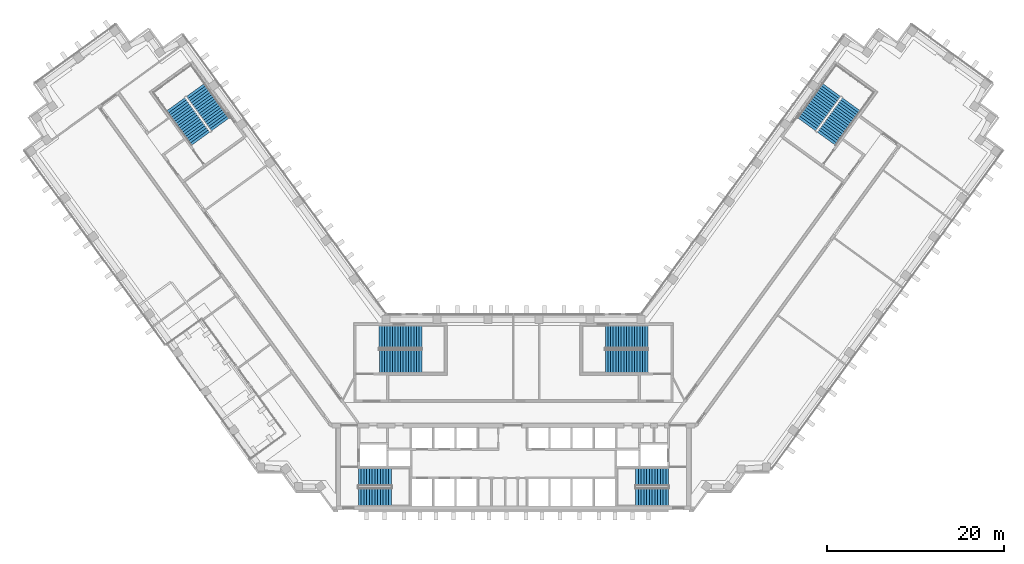
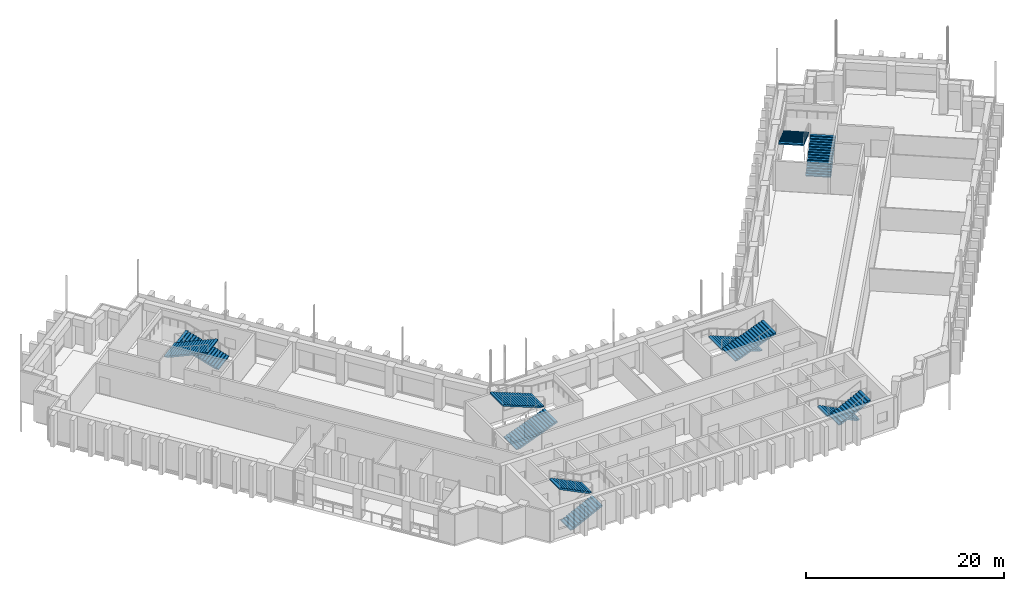
# One storey, part 15 of 18: 12 stair flights, 6 elements without a shape of their own.
"""IFC4 building model written with IfcOpenShell, lengths in metres."""

from ifc_helpers import new_model, si_unit, direction, frame, origin, place, context, subcontext, project, spatial, polyline, outline, extrude, material, type_object, element, aggregate, save


model = new_model("IFC4")

# Units and contexts
model_context = context("Model", 3, precision=1e-05, world=origin(), true_north=direction((0.0, 1.0)))
body_context = subcontext(model_context, "Body", "Model", "MODEL_VIEW")
ifc_project = project(units=[si_unit("LENGTHUNIT", "METRE"), si_unit("AREAUNIT", "SQUARE_METRE"), si_unit("VOLUMEUNIT", "CUBIC_METRE"), si_unit("PLANEANGLEUNIT", "RADIAN"), si_unit("MASSUNIT", "GRAM", prefix="KILO")], contexts=[model_context])

# Site, building, storey
site_placement = place(None, origin())
site = spatial("IfcSite", under=ifc_project, at=site_placement, CompositionType="ELEMENT")
building_placement = place(site_placement, origin())
building = spatial("IfcBuilding", under=site, at=building_placement, Name="Quipu Civic Tower", CompositionType="ELEMENT")
storey_placement = place(building_placement, frame((0.0, 0.0, 59.0)))
storey = spatial("IfcBuildingStorey", under=building, at=storey_placement, Name="L13", CompositionType="ELEMENT", Elevation=59.0)

# Stair, stair flights
ifc_material_1 = material(Name="Concrete C40/50", Category="concrete")
stair_type_1 = type_object("IfcStairType", Name="Half turn stair 2000", PredefinedType="HALF_TURN_STAIR", material=ifc_material_1)
stair_1_placement = place(storey_placement, origin())
stair_1 = element("IfcStair", 1, at=stair_1_placement, inside=storey, type_object=stair_type_1, Name="Exit stair 1", PredefinedType="HALF_TURN_STAIR")
ifc_material_2 = material(Name="Concrete C40/50", Category="concrete")
stair_flight_type_1 = type_object("IfcStairFlightType", Name="Stair flight 2000", PredefinedType="STRAIGHT", material=ifc_material_2)
stair_flight_1_placement = place(storey_placement, frame((-17.5, -9.5, 0.0), z_axis=(0.0, 0.0, 1.0), x_axis=(1.0, 0.0, 0.0)))
stair_flight_1 = element("IfcStairFlight", 2, at=stair_flight_1_placement, type_object=stair_flight_type_1, Name="ST-1 flight 1", NumberOfRisers=13, NumberOfTreads=12, PredefinedType="STRAIGHT", RiserHeight=0.153846154, TreadLength=0.31, context=body_context, shape_type="SweptSolid", body=[
    extrude(outline(polyline([(0.0, 0.0), (0.0, 0.15380859375), (0.31005859375, 0.15380859375), (0.31005859375, 0.3076171875), (0.6201171875, 0.3076171875), (0.6201171875, 0.46142578125), (0.929931640625, 0.46142578125), (0.929931640625, 0.615478515625), (1.239990234375, 0.615478515625), (1.239990234375, 0.769287109375), (1.550048828125, 0.769287109375), (1.550048828125, 0.923095703125), (1.860107421875, 0.923095703125), (1.860107421875, 1.076904296875), (2.169921875, 1.076904296875), (2.169921875, 1.230712890625), (2.47998046875, 1.230712890625), (2.47998046875, 1.384521484375), (2.7900390625, 1.384521484375), (2.7900390625, 1.53857421875), (3.10009765625, 1.53857421875), (3.10009765625, 1.6923828125), (3.409912109375, 1.6923828125), (3.409912109375, 1.84619140625), (3.719970703125, 1.84619140625), (3.719970703125, 2.0), (3.719970703125, 1.6787109375), (0.337158203125, 0.0), (0.0, 0.0)])), frame((0.0, 1.0, 0.0), z_axis=(0.0, -1.0, 0.0), x_axis=(1.0, 0.0, 0.0)), (0.0, 0.0, 1.0), 2.0),
])
stair_flight_2_placement = place(storey_placement, frame((-13.780029296875, -7.25, 2.0), z_axis=(0.0, 0.0, 1.0), x_axis=(-1.0, 0.0, 0.0)))
stair_flight_2 = element("IfcStairFlight", 3, at=stair_flight_2_placement, type_object=stair_flight_type_1, Name="ST-1 flight 2", NumberOfRisers=13, NumberOfTreads=12, PredefinedType="STRAIGHT", RiserHeight=0.153846154, TreadLength=0.31, context=body_context, shape_type="SweptSolid", body=[
    extrude(outline(polyline([(0.0, 0.0), (0.0, 0.15380859375), (0.31005859375, 0.15380859375), (0.31005859375, 0.3076171875), (0.6201171875, 0.3076171875), (0.6201171875, 0.46142578125), (0.929931640625, 0.46142578125), (0.929931640625, 0.615478515625), (1.239990234375, 0.615478515625), (1.239990234375, 0.769287109375), (1.550048828125, 0.769287109375), (1.550048828125, 0.923095703125), (1.860107421875, 0.923095703125), (1.860107421875, 1.076904296875), (2.169921875, 1.076904296875), (2.169921875, 1.230712890625), (2.47998046875, 1.230712890625), (2.47998046875, 1.384521484375), (2.7900390625, 1.384521484375), (2.7900390625, 1.53857421875), (3.10009765625, 1.53857421875), (3.10009765625, 1.6923828125), (3.409912109375, 1.6923828125), (3.409912109375, 1.84619140625), (3.719970703125, 1.84619140625), (3.719970703125, 2.0), (3.719970703125, 1.6787109375), (0.337158203125, 0.0), (0.0, 0.0)])), frame((0.0, 1.0, 0.0), z_axis=(0.0, -1.0, 0.0), x_axis=(1.0, 0.0, 0.0)), (0.0, 0.0, 1.0), 2.0),
])
aggregate(stair_1, [stair_flight_1, stair_flight_2])

stair_2_placement = place(storey_placement, origin())
stair_2 = element("IfcStair", 4, at=stair_2_placement, inside=storey, type_object=stair_type_1, Name="Exit stair 2", PredefinedType="HALF_TURN_STAIR")
stair_flight_3_placement = place(storey_placement, frame((17.5, -7.25, 0.0), z_axis=(0.0, 0.0, 1.0), x_axis=(-1.0, 0.0, 0.0)))
stair_flight_3 = element("IfcStairFlight", 5, at=stair_flight_3_placement, type_object=stair_flight_type_1, Name="ST-2 flight 1", NumberOfRisers=13, NumberOfTreads=12, PredefinedType="STRAIGHT", RiserHeight=0.153846154, TreadLength=0.31, context=body_context, shape_type="SweptSolid", body=[
    extrude(outline(polyline([(0.0, 0.0), (0.0, 0.15380859375), (0.31005859375, 0.15380859375), (0.31005859375, 0.3076171875), (0.6201171875, 0.3076171875), (0.6201171875, 0.46142578125), (0.929931640625, 0.46142578125), (0.929931640625, 0.615478515625), (1.239990234375, 0.615478515625), (1.239990234375, 0.769287109375), (1.550048828125, 0.769287109375), (1.550048828125, 0.923095703125), (1.860107421875, 0.923095703125), (1.860107421875, 1.076904296875), (2.169921875, 1.076904296875), (2.169921875, 1.230712890625), (2.47998046875, 1.230712890625), (2.47998046875, 1.384521484375), (2.7900390625, 1.384521484375), (2.7900390625, 1.53857421875), (3.10009765625, 1.53857421875), (3.10009765625, 1.6923828125), (3.409912109375, 1.6923828125), (3.409912109375, 1.84619140625), (3.719970703125, 1.84619140625), (3.719970703125, 2.0), (3.719970703125, 1.6787109375), (0.337158203125, 0.0), (0.0, 0.0)])), frame((0.0, 1.0, 0.0), z_axis=(0.0, -1.0, 0.0), x_axis=(1.0, 0.0, 0.0)), (0.0, 0.0, 1.0), 2.0),
])
stair_flight_4_placement = place(storey_placement, frame((13.780029296875, -9.5, 2.0), z_axis=(0.0, 0.0, 1.0), x_axis=(1.0, 0.0, 0.0)))
stair_flight_4 = element("IfcStairFlight", 6, at=stair_flight_4_placement, type_object=stair_flight_type_1, Name="ST-2 flight 2", NumberOfRisers=13, NumberOfTreads=12, PredefinedType="STRAIGHT", RiserHeight=0.153846154, TreadLength=0.31, context=body_context, shape_type="SweptSolid", body=[
    extrude(outline(polyline([(0.0, 0.0), (0.0, 0.15380859375), (0.31005859375, 0.15380859375), (0.31005859375, 0.3076171875), (0.6201171875, 0.3076171875), (0.6201171875, 0.46142578125), (0.929931640625, 0.46142578125), (0.929931640625, 0.615478515625), (1.239990234375, 0.615478515625), (1.239990234375, 0.769287109375), (1.550048828125, 0.769287109375), (1.550048828125, 0.923095703125), (1.860107421875, 0.923095703125), (1.860107421875, 1.076904296875), (2.169921875, 1.076904296875), (2.169921875, 1.230712890625), (2.47998046875, 1.230712890625), (2.47998046875, 1.384521484375), (2.7900390625, 1.384521484375), (2.7900390625, 1.53857421875), (3.10009765625, 1.53857421875), (3.10009765625, 1.6923828125), (3.409912109375, 1.6923828125), (3.409912109375, 1.84619140625), (3.719970703125, 1.84619140625), (3.719970703125, 2.0), (3.719970703125, 1.6787109375), (0.337158203125, 0.0), (0.0, 0.0)])), frame((0.0, 1.0, 0.0), z_axis=(0.0, -1.0, 0.0), x_axis=(1.0, 0.0, 0.0)), (0.0, 0.0, 1.0), 2.0),
])
aggregate(stair_2, [stair_flight_3, stair_flight_4])

ifc_material_3 = material(Name="Concrete C40/50", Category="concrete")
stair_type_2 = type_object("IfcStairType", Name="Half turn stair 2600", PredefinedType="HALF_TURN_STAIR", material=ifc_material_3)
stair_3_placement = place(storey_placement, origin())
stair_3 = element("IfcStair", 7, at=stair_3_placement, inside=storey, type_object=stair_type_2, Name="Exit stair 3", PredefinedType="HALF_TURN_STAIR")
ifc_material_4 = material(Name="Concrete C40/50", Category="concrete")
stair_flight_type_2 = type_object("IfcStairFlightType", Name="Stair flight 2600", PredefinedType="STRAIGHT", material=ifc_material_4)
stair_flight_5_placement = place(storey_placement, frame((-15.14990234375, 5.800048828125, 0.0), z_axis=(0.0, 0.0, 1.0), x_axis=(1.0, 0.0, 0.0)))
stair_flight_5 = element("IfcStairFlight", 8, at=stair_flight_5_placement, type_object=stair_flight_type_2, Name="ST-3 flight 1", NumberOfRisers=17, NumberOfTreads=16, PredefinedType="STRAIGHT", RiserHeight=0.117647059, TreadLength=0.3, context=body_context, shape_type="SweptSolid", body=[
    extrude(outline(polyline([(0.0, 0.0), (0.0, 0.11767578125), (0.300048828125, 0.11767578125), (0.300048828125, 0.2353515625), (0.60009765625, 0.2353515625), (0.60009765625, 0.35302734375), (0.89990234375, 0.35302734375), (0.89990234375, 0.470703125), (1.199951171875, 0.470703125), (1.199951171875, 0.588134765625), (1.5, 0.588134765625), (1.5, 0.705810546875), (1.800048828125, 0.705810546875), (1.800048828125, 0.823486328125), (2.10009765625, 0.823486328125), (2.10009765625, 0.941162109375), (2.39990234375, 0.941162109375), (2.39990234375, 1.058837890625), (2.699951171875, 1.058837890625), (2.699951171875, 1.176513671875), (3.0, 1.176513671875), (3.0, 1.294189453125), (3.300048828125, 1.294189453125), (3.300048828125, 1.411865234375), (3.60009765625, 1.411865234375), (3.60009765625, 1.529296875), (3.89990234375, 1.529296875), (3.89990234375, 1.64697265625), (4.199951171875, 1.64697265625), (4.199951171875, 1.7646484375), (4.5, 1.7646484375), (4.5, 1.88232421875), (4.800048828125, 1.88232421875), (4.800048828125, 2.0), (4.800048828125, 1.721435546875), (0.41064453125, 0.0), (0.0, 0.0)])), frame((0.0, 1.300048828125, 0.0), z_axis=(0.0, -1.0, 0.0), x_axis=(1.0, 0.0, 0.0)), (0.0, 0.0, 1.0), 2.60009765625),
])
stair_flight_6_placement = place(storey_placement, frame((-10.35009765625, 8.550048828125, 2.0), z_axis=(0.0, 0.0, 1.0), x_axis=(-1.0, 0.0, 0.0)))
stair_flight_6 = element("IfcStairFlight", 9, at=stair_flight_6_placement, type_object=stair_flight_type_2, Name="ST-3 flight 2", NumberOfRisers=17, NumberOfTreads=16, PredefinedType="STRAIGHT", RiserHeight=0.117647059, TreadLength=0.3, context=body_context, shape_type="SweptSolid", body=[
    extrude(outline(polyline([(0.0, 0.0), (0.0, 0.11767578125), (0.300048828125, 0.11767578125), (0.300048828125, 0.2353515625), (0.60009765625, 0.2353515625), (0.60009765625, 0.35302734375), (0.89990234375, 0.35302734375), (0.89990234375, 0.470703125), (1.199951171875, 0.470703125), (1.199951171875, 0.588134765625), (1.5, 0.588134765625), (1.5, 0.705810546875), (1.800048828125, 0.705810546875), (1.800048828125, 0.823486328125), (2.10009765625, 0.823486328125), (2.10009765625, 0.941162109375), (2.39990234375, 0.941162109375), (2.39990234375, 1.058837890625), (2.699951171875, 1.058837890625), (2.699951171875, 1.176513671875), (3.0, 1.176513671875), (3.0, 1.294189453125), (3.300048828125, 1.294189453125), (3.300048828125, 1.411865234375), (3.60009765625, 1.411865234375), (3.60009765625, 1.529296875), (3.89990234375, 1.529296875), (3.89990234375, 1.64697265625), (4.199951171875, 1.64697265625), (4.199951171875, 1.7646484375), (4.5, 1.7646484375), (4.5, 1.88232421875), (4.800048828125, 1.88232421875), (4.800048828125, 2.0), (4.800048828125, 1.721435546875), (0.41064453125, 0.0), (0.0, 0.0)])), frame((0.0, 1.300048828125, 0.0), z_axis=(0.0, -1.0, 0.0), x_axis=(1.0, 0.0, 0.0)), (0.0, 0.0, 1.0), 2.60009765625),
])
aggregate(stair_3, [stair_flight_5, stair_flight_6])

stair_4_placement = place(storey_placement, origin())
stair_4 = element("IfcStair", 10, at=stair_4_placement, inside=storey, type_object=stair_type_2, Name="Exit stair 4", PredefinedType="HALF_TURN_STAIR")
stair_flight_7_placement = place(storey_placement, frame((15.14990234375, 8.550048828125, 0.0), z_axis=(0.0, 0.0, 1.0), x_axis=(-1.0, 0.0, 0.0)))
stair_flight_7 = element("IfcStairFlight", 11, at=stair_flight_7_placement, type_object=stair_flight_type_2, Name="ST-4 flight 1", NumberOfRisers=17, NumberOfTreads=16, PredefinedType="STRAIGHT", RiserHeight=0.117647059, TreadLength=0.3, context=body_context, shape_type="SweptSolid", body=[
    extrude(outline(polyline([(0.0, 0.0), (0.0, 0.11767578125), (0.300048828125, 0.11767578125), (0.300048828125, 0.2353515625), (0.60009765625, 0.2353515625), (0.60009765625, 0.35302734375), (0.89990234375, 0.35302734375), (0.89990234375, 0.470703125), (1.199951171875, 0.470703125), (1.199951171875, 0.588134765625), (1.5, 0.588134765625), (1.5, 0.705810546875), (1.800048828125, 0.705810546875), (1.800048828125, 0.823486328125), (2.10009765625, 0.823486328125), (2.10009765625, 0.941162109375), (2.39990234375, 0.941162109375), (2.39990234375, 1.058837890625), (2.699951171875, 1.058837890625), (2.699951171875, 1.176513671875), (3.0, 1.176513671875), (3.0, 1.294189453125), (3.300048828125, 1.294189453125), (3.300048828125, 1.411865234375), (3.60009765625, 1.411865234375), (3.60009765625, 1.529296875), (3.89990234375, 1.529296875), (3.89990234375, 1.64697265625), (4.199951171875, 1.64697265625), (4.199951171875, 1.7646484375), (4.5, 1.7646484375), (4.5, 1.88232421875), (4.800048828125, 1.88232421875), (4.800048828125, 2.0), (4.800048828125, 1.721435546875), (0.41064453125, 0.0), (0.0, 0.0)])), frame((0.0, 1.300048828125, 0.0), z_axis=(0.0, -1.0, 0.0), x_axis=(1.0, 0.0, 0.0)), (0.0, 0.0, 1.0), 2.60009765625),
])
stair_flight_8_placement = place(storey_placement, frame((10.35009765625, 5.800048828125, 2.0), z_axis=(0.0, 0.0, 1.0), x_axis=(1.0, 0.0, 0.0)))
stair_flight_8 = element("IfcStairFlight", 12, at=stair_flight_8_placement, type_object=stair_flight_type_2, Name="ST-4 flight 2", NumberOfRisers=17, NumberOfTreads=16, PredefinedType="STRAIGHT", RiserHeight=0.117647059, TreadLength=0.3, context=body_context, shape_type="SweptSolid", body=[
    extrude(outline(polyline([(0.0, 0.0), (0.0, 0.11767578125), (0.300048828125, 0.11767578125), (0.300048828125, 0.2353515625), (0.60009765625, 0.2353515625), (0.60009765625, 0.35302734375), (0.89990234375, 0.35302734375), (0.89990234375, 0.470703125), (1.199951171875, 0.470703125), (1.199951171875, 0.588134765625), (1.5, 0.588134765625), (1.5, 0.705810546875), (1.800048828125, 0.705810546875), (1.800048828125, 0.823486328125), (2.10009765625, 0.823486328125), (2.10009765625, 0.941162109375), (2.39990234375, 0.941162109375), (2.39990234375, 1.058837890625), (2.699951171875, 1.058837890625), (2.699951171875, 1.176513671875), (3.0, 1.176513671875), (3.0, 1.294189453125), (3.300048828125, 1.294189453125), (3.300048828125, 1.411865234375), (3.60009765625, 1.411865234375), (3.60009765625, 1.529296875), (3.89990234375, 1.529296875), (3.89990234375, 1.64697265625), (4.199951171875, 1.64697265625), (4.199951171875, 1.7646484375), (4.5, 1.7646484375), (4.5, 1.88232421875), (4.800048828125, 1.88232421875), (4.800048828125, 2.0), (4.800048828125, 1.721435546875), (0.41064453125, 0.0), (0.0, 0.0)])), frame((0.0, 1.300048828125, 0.0), z_axis=(0.0, -1.0, 0.0), x_axis=(1.0, 0.0, 0.0)), (0.0, 0.0, 1.0), 2.60009765625),
])
aggregate(stair_4, [stair_flight_7, stair_flight_8])

stair_5_placement = place(storey_placement, origin())
stair_5 = element("IfcStair", 13, at=stair_5_placement, inside=storey, type_object=stair_type_2, Name="Exit stair 6", PredefinedType="HALF_TURN_STAIR")
stair_flight_9_placement = place(storey_placement, frame((-33.067626953125, 32.5322265625, 0.0), z_axis=(0.0, 0.0, 1.0), x_axis=(-0.587785252292, 0.809016994375, 0.0)))
stair_flight_9 = element("IfcStairFlight", 14, at=stair_flight_9_placement, type_object=stair_flight_type_2, Name="ST-6 flight 1", NumberOfRisers=17, NumberOfTreads=16, PredefinedType="STRAIGHT", RiserHeight=0.117647059, TreadLength=0.3, context=body_context, shape_type="SweptSolid", body=[
    extrude(outline(polyline([(0.0, 0.0), (0.0, 0.11767578125), (0.300048828125, 0.11767578125), (0.300048828125, 0.2353515625), (0.60009765625, 0.2353515625), (0.60009765625, 0.35302734375), (0.89990234375, 0.35302734375), (0.89990234375, 0.470703125), (1.199951171875, 0.470703125), (1.199951171875, 0.588134765625), (1.5, 0.588134765625), (1.5, 0.705810546875), (1.800048828125, 0.705810546875), (1.800048828125, 0.823486328125), (2.10009765625, 0.823486328125), (2.10009765625, 0.941162109375), (2.39990234375, 0.941162109375), (2.39990234375, 1.058837890625), (2.699951171875, 1.058837890625), (2.699951171875, 1.176513671875), (3.0, 1.176513671875), (3.0, 1.294189453125), (3.300048828125, 1.294189453125), (3.300048828125, 1.411865234375), (3.60009765625, 1.411865234375), (3.60009765625, 1.529296875), (3.89990234375, 1.529296875), (3.89990234375, 1.64697265625), (4.199951171875, 1.64697265625), (4.199951171875, 1.7646484375), (4.5, 1.7646484375), (4.5, 1.88232421875), (4.800048828125, 1.88232421875), (4.800048828125, 2.0), (4.800048828125, 1.721435546875), (0.41064453125, 0.0), (0.0, 0.0)])), frame((0.0, 1.300048828125, 0.0), z_axis=(0.0, -1.0, 0.0), x_axis=(1.0, 0.0, 0.0)), (0.0, 0.0, 1.0), 2.60009765625),
])
stair_flight_10_placement = place(storey_placement, frame((-38.11376953125, 34.799072265625, 2.0), z_axis=(0.0, 0.0, 1.0), x_axis=(0.587785252292, -0.809016994375, 0.0)))
stair_flight_10 = element("IfcStairFlight", 15, at=stair_flight_10_placement, type_object=stair_flight_type_2, Name="ST-6 flight 2", NumberOfRisers=17, NumberOfTreads=16, PredefinedType="STRAIGHT", RiserHeight=0.117647059, TreadLength=0.3, context=body_context, shape_type="SweptSolid", body=[
    extrude(outline(polyline([(0.0, 0.0), (0.0, 0.11767578125), (0.300048828125, 0.11767578125), (0.300048828125, 0.2353515625), (0.60009765625, 0.2353515625), (0.60009765625, 0.35302734375), (0.89990234375, 0.35302734375), (0.89990234375, 0.470703125), (1.199951171875, 0.470703125), (1.199951171875, 0.588134765625), (1.5, 0.588134765625), (1.5, 0.705810546875), (1.800048828125, 0.705810546875), (1.800048828125, 0.823486328125), (2.10009765625, 0.823486328125), (2.10009765625, 0.941162109375), (2.39990234375, 0.941162109375), (2.39990234375, 1.058837890625), (2.699951171875, 1.058837890625), (2.699951171875, 1.176513671875), (3.0, 1.176513671875), (3.0, 1.294189453125), (3.300048828125, 1.294189453125), (3.300048828125, 1.411865234375), (3.60009765625, 1.411865234375), (3.60009765625, 1.529296875), (3.89990234375, 1.529296875), (3.89990234375, 1.64697265625), (4.199951171875, 1.64697265625), (4.199951171875, 1.7646484375), (4.5, 1.7646484375), (4.5, 1.88232421875), (4.800048828125, 1.88232421875), (4.800048828125, 2.0), (4.800048828125, 1.721435546875), (0.41064453125, 0.0), (0.0, 0.0)])), frame((0.0, 1.300048828125, 0.0), z_axis=(0.0, -1.0, 0.0), x_axis=(1.0, 0.0, 0.0)), (0.0, 0.0, 1.0), 2.60009765625),
])
aggregate(stair_5, [stair_flight_9, stair_flight_10])

stair_6_placement = place(storey_placement, origin())
stair_6 = element("IfcStair", 16, at=stair_6_placement, inside=storey, type_object=stair_type_2, Name="Exit stair 7", PredefinedType="HALF_TURN_STAIR")
stair_flight_11_placement = place(storey_placement, frame((35.29248046875, 30.915771484375, 0.0), z_axis=(0.0, 0.0, 1.0), x_axis=(0.587785252292, 0.809016994375, 0.0)))
stair_flight_11 = element("IfcStairFlight", 17, at=stair_flight_11_placement, type_object=stair_flight_type_2, Name="ST-7 flight 1", NumberOfRisers=17, NumberOfTreads=16, PredefinedType="STRAIGHT", RiserHeight=0.117647059, TreadLength=0.3, context=body_context, shape_type="SweptSolid", body=[
    extrude(outline(polyline([(0.0, 0.0), (0.0, 0.11767578125), (0.300048828125, 0.11767578125), (0.300048828125, 0.2353515625), (0.60009765625, 0.2353515625), (0.60009765625, 0.35302734375), (0.89990234375, 0.35302734375), (0.89990234375, 0.470703125), (1.199951171875, 0.470703125), (1.199951171875, 0.588134765625), (1.5, 0.588134765625), (1.5, 0.705810546875), (1.800048828125, 0.705810546875), (1.800048828125, 0.823486328125), (2.10009765625, 0.823486328125), (2.10009765625, 0.941162109375), (2.39990234375, 0.941162109375), (2.39990234375, 1.058837890625), (2.699951171875, 1.058837890625), (2.699951171875, 1.176513671875), (3.0, 1.176513671875), (3.0, 1.294189453125), (3.300048828125, 1.294189453125), (3.300048828125, 1.411865234375), (3.60009765625, 1.411865234375), (3.60009765625, 1.529296875), (3.89990234375, 1.529296875), (3.89990234375, 1.64697265625), (4.199951171875, 1.64697265625), (4.199951171875, 1.7646484375), (4.5, 1.7646484375), (4.5, 1.88232421875), (4.800048828125, 1.88232421875), (4.800048828125, 2.0), (4.800048828125, 1.721435546875), (0.41064453125, 0.0), (0.0, 0.0)])), frame((0.0, 1.300048828125, 0.0), z_axis=(0.0, -1.0, 0.0), x_axis=(1.0, 0.0, 0.0)), (0.0, 0.0, 1.0), 2.60009765625),
])
stair_flight_12_placement = place(storey_placement, frame((35.888916015625, 36.41552734375, 2.0), z_axis=(0.0, 0.0, 1.0), x_axis=(-0.587785252292, -0.809016994375, 0.0)))
stair_flight_12 = element("IfcStairFlight", 18, at=stair_flight_12_placement, type_object=stair_flight_type_2, Name="ST-7 flight 2", NumberOfRisers=17, NumberOfTreads=16, PredefinedType="STRAIGHT", RiserHeight=0.117647059, TreadLength=0.3, context=body_context, shape_type="SweptSolid", body=[
    extrude(outline(polyline([(0.0, 0.0), (0.0, 0.11767578125), (0.300048828125, 0.11767578125), (0.300048828125, 0.2353515625), (0.60009765625, 0.2353515625), (0.60009765625, 0.35302734375), (0.89990234375, 0.35302734375), (0.89990234375, 0.470703125), (1.199951171875, 0.470703125), (1.199951171875, 0.588134765625), (1.5, 0.588134765625), (1.5, 0.705810546875), (1.800048828125, 0.705810546875), (1.800048828125, 0.823486328125), (2.10009765625, 0.823486328125), (2.10009765625, 0.941162109375), (2.39990234375, 0.941162109375), (2.39990234375, 1.058837890625), (2.699951171875, 1.058837890625), (2.699951171875, 1.176513671875), (3.0, 1.176513671875), (3.0, 1.294189453125), (3.300048828125, 1.294189453125), (3.300048828125, 1.411865234375), (3.60009765625, 1.411865234375), (3.60009765625, 1.529296875), (3.89990234375, 1.529296875), (3.89990234375, 1.64697265625), (4.199951171875, 1.64697265625), (4.199951171875, 1.7646484375), (4.5, 1.7646484375), (4.5, 1.88232421875), (4.800048828125, 1.88232421875), (4.800048828125, 2.0), (4.800048828125, 1.721435546875), (0.41064453125, 0.0), (0.0, 0.0)])), frame((0.0, 1.300048828125, 0.0), z_axis=(0.0, -1.0, 0.0), x_axis=(1.0, 0.0, 0.0)), (0.0, 0.0, 1.0), 2.60009765625),
])
aggregate(stair_6, [stair_flight_11, stair_flight_12])

save(model, "model.ifc")
